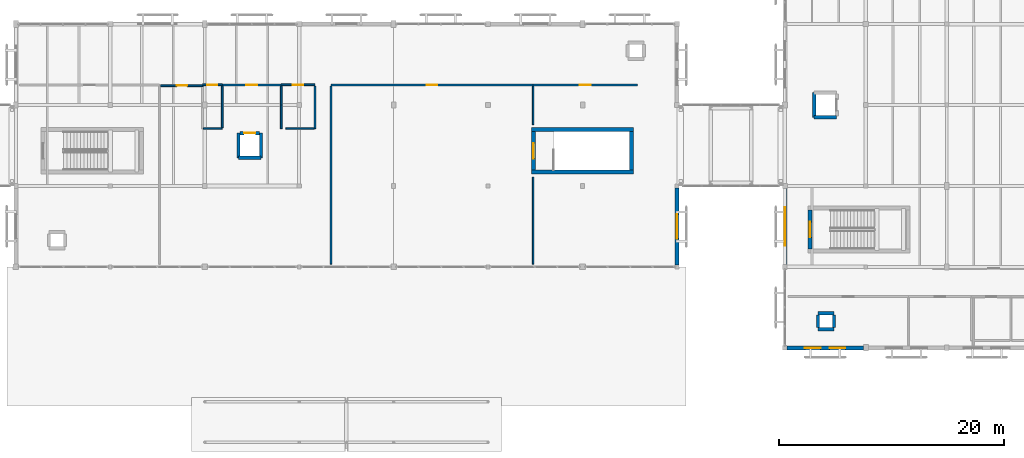
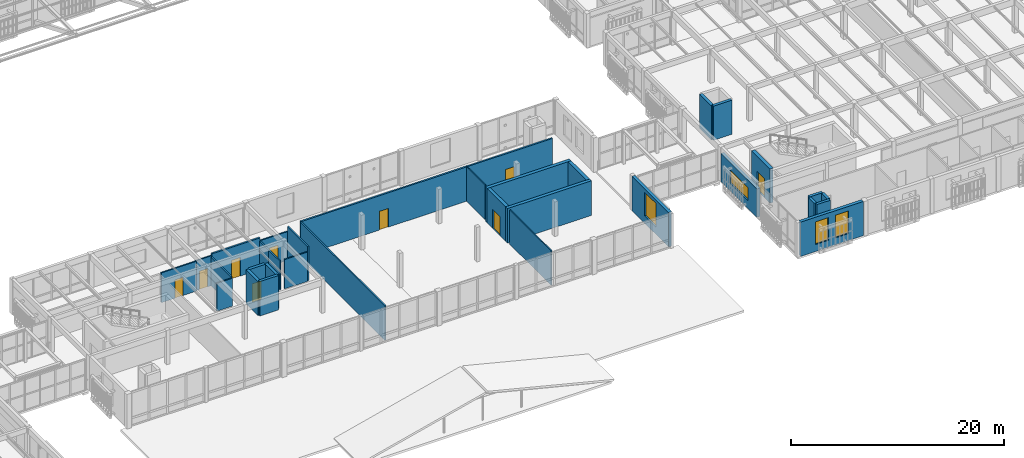
# One storey, part 178 of 217: 33 walls, 9 doors, 4 windows, 13 openings.
"""IFC4 building model written with IfcOpenShell, lengths in metres."""

from ifc_helpers import new_model, si_unit, direction, frame, frame_2d, origin, place, context, subcontext, project, spatial, rectangle, extrude, material, layer, layer_set, type_object, element, fill, save


model = new_model("IFC4")

# Units and contexts
model_context = context("Model", 3, precision=1e-05, world=origin(), true_north=direction((0.0, 1.0)))
body_context = subcontext(model_context, "Body", "Model", "MODEL_VIEW")
ifc_project = project(units=[si_unit("LENGTHUNIT", "METRE"), si_unit("AREAUNIT", "SQUARE_METRE"), si_unit("VOLUMEUNIT", "CUBIC_METRE"), si_unit("PLANEANGLEUNIT", "RADIAN"), si_unit("MASSUNIT", "GRAM", prefix="KILO")], contexts=[model_context])

# Site, building, storey
site_placement = place(None, origin())
site = spatial("IfcSite", under=ifc_project, at=site_placement, CompositionType="ELEMENT")
building_placement = place(site_placement, origin())
building = spatial("IfcBuilding", under=site, at=building_placement, Name="Mazaris Harbour Polytechnic", CompositionType="ELEMENT")
storey_placement = place(building_placement, frame((0.0, 0.0, 9.60009765625)))
storey = spatial("IfcBuildingStorey", under=building, at=storey_placement, Name="L02", CompositionType="ELEMENT", Elevation=9.60009765625)

# Walls
ifc_material_1 = material(Name="Gypsum Board and Mineral Wool")
ifc_layer_1 = layer(ifc_material_1, 0.1201171875, Name="Gypsum Board and Mineral Wool")
ifc_layer_set_1 = layer_set([ifc_layer_1], Name="Gypsum Board and Mineral Wool")
wall_type_1 = type_object("IfcWallType", Name="Acoustic Stud Partition 120", PredefinedType="PARTITIONING", material=ifc_layer_set_1)
wall_1_placement = place(storey_placement, frame((100.010986328125, 14.64990234375, 0.0), z_axis=(0.0, 0.0, 1.0), x_axis=(0.0, 1.0, 0.0)))
element("IfcWall", 1, at=wall_1_placement, inside=storey, type_object=wall_type_1, Name="V3 L02 Partition 231", PredefinedType="PARTITIONING", context=body_context, shape_type="SweptSolid", body=[
    extrude(rectangle(XDim=7.7451171875, YDim=0.1201171875, at=frame_2d((3.87255859375, 0.0))), origin(), (0.0, 0.0, 1.0), 3.934814453125),
])
wall_2_placement = place(storey_placement, frame((100.010986328125, 27.054931640625, 0.0), z_axis=(0.0, 0.0, 1.0), x_axis=(0.0, 1.0, 0.0)))
element("IfcWall", 2, at=wall_2_placement, inside=storey, type_object=wall_type_1, Name="V3 L02 Partition 233", PredefinedType="PARTITIONING", context=body_context, shape_type="SweptSolid", body=[
    extrude(rectangle(XDim=3.425048828125, YDim=0.1201171875, at=frame_2d((1.71240234375, 0.0))), origin(), (0.0, 0.0, 1.0), 3.934814453125),
])
ifc_material_2 = material(Name="Double Gypsum and Mineral Wool")
ifc_layer_2 = layer(ifc_material_2, 0.14990234375, Name="Double Gypsum and Mineral Wool")
ifc_layer_set_2 = layer_set([ifc_layer_2], Name="Double Gypsum and Mineral Wool")
wall_type_2 = type_object("IfcWallType", Name="Classroom Acoustic Partition 150", PredefinedType="PARTITIONING", material=ifc_layer_set_2)
wall_3_placement = place(storey_placement, frame((82.02587890625, 14.64990234375, 0.0), z_axis=(0.0, 0.0, 1.0), x_axis=(0.0, 1.0, 0.0)))
element("IfcWall", 3, at=wall_3_placement, inside=storey, type_object=wall_type_2, Name="V3 L02 Partition 229", PredefinedType="PARTITIONING", context=body_context, shape_type="SweptSolid", body=[
    extrude(rectangle(XDim=15.830078125, YDim=0.14990234375, at=frame_2d((7.9150390625, 0.0))), origin(), (0.0, 0.0, 1.0), 3.934814453125),
])

# Wall, opening, door
ifc_material_3 = material(Name="Terracotta Block and Plaster", Category="masonry")
ifc_layer_3 = layer(ifc_material_3, 0.179931640625, Name="Terracotta Block and Plaster")
ifc_layer_set_3 = layer_set([ifc_layer_3], Name="Terracotta Block and Plaster")
wall_type_3 = type_object("IfcWallType", Name="Corridor Fire Partition 180", PredefinedType="PARTITIONING", material=ifc_layer_set_3)
wall_4_placement = place(storey_placement, frame((72.364990234375, 30.60009765625, 0.0), z_axis=(0.0, 0.0, 1.0), x_axis=(1.0, 0.0, 0.0)))
wall_4 = element("IfcWall", 4, at=wall_4_placement, inside=storey, type_object=wall_type_3, Name="V3 L02 Partition 228", PredefinedType="PARTITIONING", context=body_context, shape_type="SweptSolid", body=[
    extrude(rectangle(XDim=5.22998046875, YDim=0.179931640625, at=frame_2d((2.614990234375, 0.0))), origin(), (0.0, 0.0, 1.0), 3.635009765625),
])
opening_1_placement = place(wall_4_placement, frame((2.139892578125, 0.0, 0.0)))
opening_1 = element("IfcOpeningElement", 5, at=opening_1_placement, cuts=wall_4, Name="Opening ID-01L", PredefinedType="OPENING", context=body_context, shape_type="SweptSolid", body=[
    extrude(rectangle(XDim=0.949951171875, YDim=2.14990234375, at=frame_2d((0.47509765625, 1.074951171875))), frame((0.0, 0.099853515625, 0.0), z_axis=(0.0, -1.0, 0.0), x_axis=(1.0, 0.0, 0.0)), (0.0, 0.0, 1.0), 0.199951171875),
])
ifc_material_4 = material(Name="Solid Oak Timber", Category="wood")
door_type_1 = type_object("IfcDoorType", Name="Classroom Single Door LH 950x2150", OperationType="SINGLE_SWING_LEFT", PredefinedType="DOOR", material=ifc_material_4)
door_1_placement = place(opening_1_placement, origin())
door_1 = element("IfcDoor", 6, at=door_1_placement, inside=storey, type_object=door_type_1, Name="ID-0104", OperationType="SINGLE_SWING_LEFT", OverallHeight=2.14990234375, OverallWidth=0.949951171875, PredefinedType="DOOR", context=body_context, shape_type="SweptSolid", body=[
    extrude(rectangle(XDim=0.949951171875, YDim=2.14990234375, at=frame_2d((0.47509765625, 1.074951171875))), frame((0.0, 0.02490234375, 0.0), z_axis=(0.0, -1.0, 0.0), x_axis=(1.0, 0.0, 0.0)), (0.0, 0.0, 1.0), 0.050048828125),
])
fill(opening_1, door_1)

wall_5_placement = place(storey_placement, frame((82.02587890625, 30.60009765625, 0.0), z_axis=(0.0, 0.0, 1.0), x_axis=(1.0, 0.0, 0.0)))
wall_5 = element("IfcWall", 7, at=wall_5_placement, inside=storey, type_object=wall_type_3, Name="V3 L02 Partition 230", PredefinedType="PARTITIONING", context=body_context, shape_type="SweptSolid", body=[
    extrude(rectangle(XDim=17.985107421875, YDim=0.179931640625, at=frame_2d((8.99267578125, 0.0))), origin(), (0.0, 0.0, 1.0), 3.934814453125),
])
opening_2_placement = place(wall_5_placement, frame((8.512451171875, 0.0, 0.0)))
opening_2 = element("IfcOpeningElement", 8, at=opening_2_placement, cuts=wall_5, Name="Opening ID-01R", PredefinedType="OPENING", context=body_context, shape_type="SweptSolid", body=[
    extrude(rectangle(XDim=0.9599609375, YDim=2.14990234375, at=frame_2d((0.47998046875, 1.074951171875))), frame((0.0, 0.099853515625, 0.0), z_axis=(0.0, -1.0, 0.0), x_axis=(1.0, 0.0, 0.0)), (0.0, 0.0, 1.0), 0.199951171875),
])
ifc_material_5 = material(Name="Solid Oak Timber", Category="wood")
door_type_2 = type_object("IfcDoorType", Name="Classroom Single Door RH 960x2150", OperationType="SINGLE_SWING_RIGHT", PredefinedType="DOOR", material=ifc_material_5)
door_2_placement = place(opening_2_placement, origin())
door_2 = element("IfcDoor", 9, at=door_2_placement, inside=storey, type_object=door_type_2, Name="ID-0105", OperationType="SINGLE_SWING_RIGHT", OverallHeight=2.14990234375, OverallWidth=0.9599609375, PredefinedType="DOOR", context=body_context, shape_type="SweptSolid", body=[
    extrude(rectangle(XDim=0.9599609375, YDim=2.14990234375, at=frame_2d((0.47998046875, 1.074951171875))), frame((0.0, 0.02490234375, 0.0), z_axis=(0.0, -1.0, 0.0), x_axis=(1.0, 0.0, 0.0)), (0.0, 0.0, 1.0), 0.050048828125),
])
fill(opening_2, door_2)

wall_6_placement = place(storey_placement, frame((100.01611328125, 30.60009765625, 0.0), z_axis=(0.0, 0.0, 1.0), x_axis=(1.0, 0.0, 0.0)))
wall_6 = element("IfcWall", 10, at=wall_6_placement, inside=storey, type_object=wall_type_3, Name="V3 L02 Partition 232", PredefinedType="PARTITIONING", context=body_context, shape_type="SweptSolid", body=[
    extrude(rectangle(XDim=9.263916015625, YDim=0.179931640625, at=frame_2d((4.6318359375, 0.0))), origin(), (0.0, 0.0, 1.0), 3.934814453125),
])
opening_3_placement = place(wall_6_placement, frame((4.156982421875, 0.0, 0.0)))
opening_3 = element("IfcOpeningElement", 11, at=opening_3_placement, cuts=wall_6, Name="Opening ID-01L", PredefinedType="OPENING", context=body_context, shape_type="SweptSolid", body=[
    extrude(rectangle(XDim=0.949951171875, YDim=2.14990234375, at=frame_2d((0.47509765625, 1.074951171875))), frame((0.0, 0.099853515625, 0.0), z_axis=(0.0, -1.0, 0.0), x_axis=(1.0, 0.0, 0.0)), (0.0, 0.0, 1.0), 0.199951171875),
])
door_3_placement = place(opening_3_placement, origin())
door_3 = element("IfcDoor", 12, at=door_3_placement, inside=storey, type_object=door_type_1, Name="ID-0106", OperationType="SINGLE_SWING_LEFT", OverallHeight=2.14990234375, OverallWidth=0.949951171875, PredefinedType="DOOR", context=body_context, shape_type="SweptSolid", body=[
    extrude(rectangle(XDim=0.949951171875, YDim=2.14990234375, at=frame_2d((0.47509765625, 1.074951171875))), frame((0.0, 0.02490234375, 0.0), z_axis=(0.0, -1.0, 0.0), x_axis=(1.0, 0.0, 0.0)), (0.0, 0.0, 1.0), 0.050048828125),
])
fill(opening_3, door_3)

# Wall, opening, window
ifc_material_6 = material(Name="Algerian Buff Limestone and Mineral Wool", Category="masonry")
ifc_layer_4 = layer(ifc_material_6, 0.330078125, Name="Algerian Buff Limestone and Mineral Wool")
ifc_layer_set_4 = layer_set([ifc_layer_4], Name="Algerian Buff Limestone and Mineral Wool")
wall_type_4 = type_object("IfcWallType", Name="Limestone Cavity Wall 330", PredefinedType="STANDARD", material=ifc_layer_set_4)
wall_7_placement = place(storey_placement, frame((112.800048828125, 21.41796875, 0.0), z_axis=(0.0, 0.0, 1.0), x_axis=(0.0, -1.0, 0.0)))
wall_7 = element("IfcWall", 13, at=wall_7_placement, inside=storey, type_object=wall_type_4, Name="V3 L02 Exterior Wall 122", PredefinedType="STANDARD", context=body_context, shape_type="SweptSolid", body=[
    extrude(rectangle(XDim=6.85595703125, YDim=0.330078125, at=frame_2d((3.427978515625, 0.0))), origin(), (0.0, 0.0, 1.0), 3.934814453125),
])
opening_4_placement = place(wall_7_placement, frame((2.35302734375, 0.0, 0.85009765625)))
opening_4 = element("IfcOpeningElement", 14, at=opening_4_placement, cuts=wall_7, Name="Opening WN-23", PredefinedType="OPENING", context=body_context, shape_type="SweptSolid", body=[
    extrude(rectangle(XDim=2.14990234375, YDim=2.699951171875, at=frame_2d((1.074951171875, 1.35009765625))), frame((0.0, 0.175048828125, 0.0), z_axis=(0.0, -1.0, 0.0), x_axis=(1.0, 0.0, 0.0)), (0.0, 0.0, 1.0), 0.35009765625),
])
ifc_material_7 = material(Name="Thermally Broken Bronze Aluminium and Low-E Glass", Category="aluminium")
window_type_1 = type_object("IfcWindowType", Name="Harbour Promenade Window 2150x2700", PartitioningType="DOUBLE_PANEL_VERTICAL", PredefinedType="WINDOW", material=ifc_material_7)
window_1_placement = place(opening_4_placement, origin())
window_1 = element("IfcWindow", 15, at=window_1_placement, inside=storey, type_object=window_type_1, Name="WN-0129", OverallHeight=2.699951171875, OverallWidth=2.14990234375, PartitioningType="DOUBLE_PANEL_VERTICAL", PredefinedType="WINDOW", context=body_context, shape_type="SweptSolid", body=[
    extrude(rectangle(XDim=2.14990234375, YDim=2.699951171875, at=frame_2d((1.074951171875, 1.35009765625))), frame((0.0, 0.030029296875, 0.0), z_axis=(0.0, -1.0, 0.0), x_axis=(1.0, 0.0, 0.0)), (0.0, 0.0, 1.0), 0.06005859375),
])
fill(opening_4, window_1)

# Wall, openings, windows
ifc_material_8 = material(Name="Algerian Buff Limestone and Concrete C30/37", Category="masonry")
ifc_layer_5 = layer(ifc_material_8, 0.344970703125, Name="Algerian Buff Limestone and Concrete C30/37")
ifc_layer_set_5 = layer_set([ifc_layer_5], Name="Algerian Buff Limestone and Concrete C30/37")
wall_type_5 = type_object("IfcWallType", Name="Pavilion Gable Wall 345", PredefinedType="STANDARD", material=ifc_layer_set_5)
wall_8_placement = place(storey_placement, frame((129.387939453125, 7.199951171875, 0.0), z_axis=(0.0, 0.0, 1.0), x_axis=(-1.0, 0.0, 0.0)))
wall_8 = element("IfcWall", 16, at=wall_8_placement, inside=storey, type_object=wall_type_5, Name="V2 L02 Exterior Wall 67", PredefinedType="STANDARD", context=body_context, shape_type="SweptSolid", body=[
    extrude(rectangle(XDim=6.805908203125, YDim=0.344970703125, at=frame_2d((3.40283203125, 0.0))), origin(), (0.0, 0.0, 1.0), 3.919921875),
])
opening_5_placement = place(wall_8_placement, frame((1.60302734375, 0.0, 0.800048828125)))
opening_5 = element("IfcOpeningElement", 17, at=opening_5_placement, cuts=wall_8, Name="Opening WN-01", PredefinedType="OPENING", context=body_context, shape_type="SweptSolid", body=[
    extrude(rectangle(XDim=1.39990234375, YDim=2.60009765625, at=frame_2d((0.699951171875, 1.300048828125))), frame((0.0, 0.182373046875, 0.0), z_axis=(0.0, -1.0, 0.0), x_axis=(1.0, 0.0, 0.0)), (0.0, 0.0, 1.0), 0.364990234375),
])
opening_6_placement = place(wall_8_placement, frame((3.802978515625, 0.0, 0.800048828125)))
opening_6 = element("IfcOpeningElement", 18, at=opening_6_placement, cuts=wall_8, Name="Opening WN-01", PredefinedType="OPENING", context=body_context, shape_type="SweptSolid", body=[
    extrude(rectangle(XDim=1.39990234375, YDim=2.60009765625, at=frame_2d((0.699951171875, 1.300048828125))), frame((0.0, 0.182373046875, 0.0), z_axis=(0.0, -1.0, 0.0), x_axis=(1.0, 0.0, 0.0)), (0.0, 0.0, 1.0), 0.364990234375),
])
ifc_material_9 = material(Name="Thermally Broken Bronze Aluminium and Low-E Glass", Category="aluminium")
window_type_2 = type_object("IfcWindowType", Name="Neoclassical Tall Window 1400x2600", PartitioningType="DOUBLE_PANEL_VERTICAL", PredefinedType="WINDOW", material=ifc_material_9)
window_2_placement = place(opening_5_placement, origin())
window_2 = element("IfcWindow", 19, at=window_2_placement, inside=storey, type_object=window_type_2, Name="WN-0059", OverallHeight=2.60009765625, OverallWidth=1.39990234375, PartitioningType="DOUBLE_PANEL_VERTICAL", PredefinedType="WINDOW", context=body_context, shape_type="SweptSolid", body=[
    extrude(rectangle(XDim=1.39990234375, YDim=2.60009765625, at=frame_2d((0.699951171875, 1.300048828125))), frame((0.0, 0.030029296875, 0.0), z_axis=(0.0, -1.0, 0.0), x_axis=(1.0, 0.0, 0.0)), (0.0, 0.0, 1.0), 0.06005859375),
])
fill(opening_5, window_2)
window_3_placement = place(opening_6_placement, origin())
window_3 = element("IfcWindow", 20, at=window_3_placement, inside=storey, type_object=window_type_2, Name="WN-0060", OverallHeight=2.60009765625, OverallWidth=1.39990234375, PartitioningType="DOUBLE_PANEL_VERTICAL", PredefinedType="WINDOW", context=body_context, shape_type="SweptSolid", body=[
    extrude(rectangle(XDim=1.39990234375, YDim=2.60009765625, at=frame_2d((0.699951171875, 1.300048828125))), frame((0.0, 0.030029296875, 0.0), z_axis=(0.0, -1.0, 0.0), x_axis=(1.0, 0.0, 0.0)), (0.0, 0.0, 1.0), 0.06005859375),
])
fill(opening_6, window_3)

# Wall, opening, window
wall_9_placement = place(storey_placement, frame((122.39990234375, 14.60205078125, 0.0), z_axis=(0.0, 0.0, 1.0), x_axis=(0.0, 1.0, 0.0)))
wall_9 = element("IfcWall", 21, at=wall_9_placement, inside=storey, type_object=wall_type_5, Name="V2 L02 Exterior Wall 76", PredefinedType="STANDARD", context=body_context, shape_type="SweptSolid", body=[
    extrude(rectangle(XDim=6.77587890625, YDim=0.344970703125, at=frame_2d((3.387939453125, 0.0))), origin(), (0.0, 0.0, 1.0), 3.239990234375),
])
opening_7_placement = place(wall_9_placement, frame((1.68798828125, 0.0, 0.89990234375)))
opening_7 = element("IfcOpeningElement", 22, at=opening_7_placement, cuts=wall_9, Name="Opening WN-16", PredefinedType="OPENING", context=body_context, shape_type="SweptSolid", body=[
    extrude(rectangle(XDim=3.39990234375, YDim=1.5, at=frame_2d((1.699951171875, 0.75))), frame((0.0, 0.182373046875, 0.0), z_axis=(0.0, -1.0, 0.0), x_axis=(1.0, 0.0, 0.0)), (0.0, 0.0, 1.0), 0.364990234375),
])
ifc_material_10 = material(Name="Thermally Broken Bronze Aluminium and Low-E Glass", Category="aluminium")
window_type_3 = type_object("IfcWindowType", Name="Workshop Clerestory Ribbon 3400x1500", PartitioningType="DOUBLE_PANEL_VERTICAL", PredefinedType="WINDOW", material=ifc_material_10)
window_4_placement = place(opening_7_placement, origin())
window_4 = element("IfcWindow", 23, at=window_4_placement, inside=storey, type_object=window_type_3, Name="WN-0072", OverallHeight=1.5, OverallWidth=3.39990234375, PartitioningType="DOUBLE_PANEL_VERTICAL", PredefinedType="WINDOW", context=body_context, shape_type="SweptSolid", body=[
    extrude(rectangle(XDim=3.39990234375, YDim=1.5, at=frame_2d((1.699951171875, 0.75))), frame((0.0, 0.030029296875, 0.0), z_axis=(0.0, -1.0, 0.0), x_axis=(1.0, 0.0, 0.0)), (0.0, 0.0, 1.0), 0.06005859375),
])
fill(opening_7, window_4)

# Walls
ifc_material_11 = material(Name="Concrete C40/50", Category="concrete")
ifc_layer_6 = layer(ifc_material_11, 0.35009765625, Name="Concrete C40/50")
ifc_layer_set_6 = layer_set([ifc_layer_6], Name="Concrete C40/50")
wall_type_6 = type_object("IfcWallType", Name="RC Core Shear Wall 350", PredefinedType="SHEAR", material=ifc_layer_set_6)
for number, where, z_axis, x_axis, name in (
    (24, (99.85009765625, 22.824951171875, 0.0), (0.0, 0.0, 1.0), (1.0, 0.0, 0.0), "Core ST06 L02 Shear Wall S"),
    (25, (108.949951171875, 26.625, 0.0), (0.0, 0.0, 1.0), (-1.0, 0.0, 0.0), "Core ST06 L02 Shear Wall N"),
):
    element("IfcWall", number, at=place(storey_placement, frame(where, z_axis=z_axis, x_axis=x_axis)), inside=storey, type_object=wall_type_6, Name=name, PredefinedType="SHEAR", context=body_context, shape_type="SweptSolid", body=[
        extrude(rectangle(XDim=9.099853515625, YDim=0.35009765625, at=frame_2d((4.5498046875, 0.0))), origin(), (0.0, 0.0, 1.0), 3.9599609375),
    ])
wall_10_placement = place(storey_placement, frame((108.77490234375, 23.0, 0.0), z_axis=(0.0, 0.0, 1.0), x_axis=(0.0, 1.0, 0.0)))
element("IfcWall", 26, at=wall_10_placement, inside=storey, type_object=wall_type_6, Name="Core ST06 L02 Shear Wall E", PredefinedType="SHEAR", context=body_context, shape_type="SweptSolid", body=[
    extrude(rectangle(XDim=3.449951171875, YDim=0.35009765625, at=frame_2d((1.72509765625, 0.0))), origin(), (0.0, 0.0, 1.0), 3.9599609375),
])

# Wall, opening, door
wall_11_placement = place(storey_placement, frame((124.625, 19.449951171875, 0.0), z_axis=(0.0, 0.0, 1.0), x_axis=(0.0, -1.0, 0.0)))
wall_11 = element("IfcWall", 27, at=wall_11_placement, inside=storey, type_object=wall_type_6, Name="Core ST03 L02 Entrance Shear Wall", PredefinedType="SHEAR", context=body_context, shape_type="SweptSolid", body=[
    extrude(rectangle(XDim=3.449951171875, YDim=0.35009765625, at=frame_2d((1.72509765625, 0.0))), origin(), (0.0, 0.0, 1.0), 3.919921875),
])
opening_8_placement = place(wall_11_placement, frame((1.034912109375, 0.0, 0.0)))
opening_8 = element("IfcOpeningElement", 28, at=opening_8_placement, cuts=wall_11, Name="Opening SD-01", PredefinedType="OPENING", context=body_context, shape_type="SweptSolid", body=[
    extrude(rectangle(XDim=1.3798828125, YDim=2.199951171875, at=frame_2d((0.68994140625, 1.10009765625))), frame((0.0, 0.18505859375, 0.0), z_axis=(0.0, -1.0, 0.0), x_axis=(1.0, 0.0, 0.0)), (0.0, 0.0, 1.0), 0.3701171875),
])
ifc_material_12 = material(Name="Glulam Timber and Fire Glass", Category="wood")
door_type_3 = type_object("IfcDoorType", Name="Protected Stair Lobby Fire Door 1380x2200", OperationType="DOUBLE_DOOR_SINGLE_SWING", PredefinedType="DOOR", material=ifc_material_12)
door_4_placement = place(opening_8_placement, origin())
door_4 = element("IfcDoor", 29, at=door_4_placement, inside=storey, type_object=door_type_3, Name="SD-012", OperationType="DOUBLE_DOOR_SINGLE_SWING", OverallHeight=2.199951171875, OverallWidth=1.3798828125, PredefinedType="DOOR", context=body_context, shape_type="SweptSolid", body=[
    extrude(rectangle(XDim=1.3798828125, YDim=2.199951171875, at=frame_2d((0.68994140625, 1.10009765625))), frame((0.0, 0.02490234375, 0.0), z_axis=(0.0, -1.0, 0.0), x_axis=(1.0, 0.0, 0.0)), (0.0, 0.0, 1.0), 0.050048828125),
])
fill(opening_8, door_4)

wall_12_placement = place(storey_placement, frame((100.02490234375, 26.449951171875, 0.0), z_axis=(0.0, 0.0, 1.0), x_axis=(0.0, -1.0, 0.0)))
wall_12 = element("IfcWall", 30, at=wall_12_placement, inside=storey, type_object=wall_type_6, Name="Core ST06 L02 Entrance Shear Wall", PredefinedType="SHEAR", context=body_context, shape_type="SweptSolid", body=[
    extrude(rectangle(XDim=3.449951171875, YDim=0.35009765625, at=frame_2d((1.72509765625, 0.0))), origin(), (0.0, 0.0, 1.0), 3.9599609375),
])
opening_9_placement = place(wall_12_placement, frame((1.034912109375, 0.0, 0.0)))
opening_9 = element("IfcOpeningElement", 31, at=opening_9_placement, cuts=wall_12, Name="Opening SD-01", PredefinedType="OPENING", context=body_context, shape_type="SweptSolid", body=[
    extrude(rectangle(XDim=1.3798828125, YDim=2.199951171875, at=frame_2d((0.68994140625, 1.10009765625))), frame((0.0, 0.18505859375, 0.0), z_axis=(0.0, -1.0, 0.0), x_axis=(1.0, 0.0, 0.0)), (0.0, 0.0, 1.0), 0.3701171875),
])
door_5_placement = place(opening_9_placement, origin())
door_5 = element("IfcDoor", 32, at=door_5_placement, inside=storey, type_object=door_type_3, Name="SD-027", OperationType="DOUBLE_DOOR_SINGLE_SWING", OverallHeight=2.199951171875, OverallWidth=1.3798828125, PredefinedType="DOOR", context=body_context, shape_type="SweptSolid", body=[
    extrude(rectangle(XDim=1.3798828125, YDim=2.199951171875, at=frame_2d((0.68994140625, 1.10009765625))), frame((0.0, 0.02490234375, 0.0), z_axis=(0.0, -1.0, 0.0), x_axis=(1.0, 0.0, 0.0)), (0.0, 0.0, 1.0), 0.050048828125),
])
fill(opening_9, door_5)

# Walls
ifc_material_13 = material(Name="Concrete C40/50", Category="concrete")
ifc_layer_7 = layer(ifc_material_13, 0.300048828125, Name="Concrete C40/50")
ifc_layer_set_7 = layer_set([ifc_layer_7], Name="Concrete C40/50")
wall_type_7 = type_object("IfcWallType", Name="RC Lift Shaft Wall 300", PredefinedType="SHEAR", material=ifc_layer_set_7)
wall_13_placement = place(storey_placement, frame((125.35009765625, 8.85009765625, 0.0), z_axis=(0.0, 0.0, 1.0), x_axis=(1.0, 0.0, 0.0)))
element("IfcWall", 33, at=wall_13_placement, inside=storey, type_object=wall_type_7, Name="V2 L02 Riser Enclosure Wall 1-1", PredefinedType="SHEAR", context=body_context, shape_type="SweptSolid", body=[
    extrude(rectangle(XDim=1.419921875, YDim=0.300048828125, at=frame_2d((0.7099609375, 0.0))), origin(), (0.0, 0.0, 1.0), 3.9599609375),
])
wall_14_placement = place(storey_placement, frame((126.77001953125, 9.010009765625, 0.0), z_axis=(0.0, 0.0, 1.0), x_axis=(0.0, 1.0, 0.0)))
element("IfcWall", 34, at=wall_14_placement, inside=storey, type_object=wall_type_7, Name="V2 L02 Riser Enclosure Wall 1-2", PredefinedType="SHEAR", context=body_context, shape_type="SweptSolid", body=[
    extrude(rectangle(XDim=1.10009765625, YDim=0.300048828125, at=frame_2d((0.550048828125, 0.0))), origin(), (0.0, 0.0, 1.0), 3.9599609375),
])
wall_15_placement = place(storey_placement, frame((126.77001953125, 10.27001953125, 0.0), z_axis=(0.0, 0.0, 1.0), x_axis=(-1.0, 0.0, 0.0)))
element("IfcWall", 35, at=wall_15_placement, inside=storey, type_object=wall_type_7, Name="V2 L02 Riser Enclosure Wall 1-3", PredefinedType="SHEAR", context=body_context, shape_type="SweptSolid", body=[
    extrude(rectangle(XDim=1.419921875, YDim=0.300048828125, at=frame_2d((0.7099609375, 0.0))), origin(), (0.0, 0.0, 1.0), 3.9599609375),
])
wall_16_placement = place(storey_placement, frame((125.35009765625, 10.110107421875, 0.0), z_axis=(0.0, 0.0, 1.0), x_axis=(0.0, -1.0, 0.0)))
element("IfcWall", 36, at=wall_16_placement, inside=storey, type_object=wall_type_7, Name="V2 L02 Riser Enclosure Wall 1-4", PredefinedType="SHEAR", context=body_context, shape_type="SweptSolid", body=[
    extrude(rectangle(XDim=1.10009765625, YDim=0.300048828125, at=frame_2d((0.550048828125, 0.0))), origin(), (0.0, 0.0, 1.0), 3.9599609375),
])
wall_17_placement = place(storey_placement, frame((125.0, 27.699951171875, 0.0), z_axis=(0.0, 0.0, 1.0), x_axis=(1.0, 0.0, 0.0)))
element("IfcWall", 37, at=wall_17_placement, inside=storey, type_object=wall_type_7, Name="Lift LP-02 L02 South Shaft Wall", PredefinedType="SHEAR", context=body_context, shape_type="SweptSolid", body=[
    extrude(rectangle(XDim=2.0, YDim=0.300048828125, at=frame_2d((1.0, 0.0))), origin(), (0.0, 0.0, 1.0), 3.919921875),
])
wall_18_placement = place(storey_placement, frame((125.0, 29.89990234375, 0.0), z_axis=(0.0, 0.0, 1.0), x_axis=(0.0, -1.0, 0.0)))
element("IfcWall", 38, at=wall_18_placement, inside=storey, type_object=wall_type_7, Name="Lift LP-02 L02 West Shaft Wall", PredefinedType="SHEAR", context=body_context, shape_type="SweptSolid", body=[
    extrude(rectangle(XDim=2.199951171875, YDim=0.300048828125, at=frame_2d((1.10009765625, 0.0))), origin(), (0.0, 0.0, 1.0), 3.919921875),
])
wall_19_placement = place(storey_placement, frame((73.800048828125, 24.10009765625, 0.0), z_axis=(0.0, 0.0, 1.0), x_axis=(1.0, 0.0, 0.0)))
element("IfcWall", 39, at=wall_19_placement, inside=storey, type_object=wall_type_7, Name="Lift LP-03 L02 South Shaft Wall", PredefinedType="SHEAR", context=body_context, shape_type="SweptSolid", body=[
    extrude(rectangle(XDim=2.0, YDim=0.300048828125, at=frame_2d((1.0, 0.0))), origin(), (0.0, 0.0, 1.0), 3.934814453125),
])
for number, where, z_axis, x_axis, name in (
    (40, (73.800048828125, 26.300048828125, 0.0), (0.0, 0.0, 1.0), (0.0, -1.0, 0.0), "Lift LP-03 L02 West Shaft Wall"),
    (41, (75.800048828125, 24.10009765625, 0.0), (0.0, 0.0, 1.0), (0.0, 1.0, 0.0), "Lift LP-03 L02 East Shaft Wall"),
):
    element("IfcWall", number, at=place(storey_placement, frame(where, z_axis=z_axis, x_axis=x_axis)), inside=storey, type_object=wall_type_7, Name=name, PredefinedType="SHEAR", context=body_context, shape_type="SweptSolid", body=[
        extrude(rectangle(XDim=2.199951171875, YDim=0.300048828125, at=frame_2d((1.10009765625, 0.0))), origin(), (0.0, 0.0, 1.0), 3.934814453125),
    ])

# Wall, opening, door
wall_20_placement = place(storey_placement, frame((73.93994140625, 26.300048828125, 0.0), z_axis=(0.0, 0.0, 1.0), x_axis=(1.0, 0.0, 0.0)))
wall_20 = element("IfcWall", 42, at=wall_20_placement, inside=storey, type_object=wall_type_7, Name="Lift LP-03 L02 Front Shaft Wall", PredefinedType="SHEAR", context=body_context, shape_type="SweptSolid", body=[
    extrude(rectangle(XDim=1.719970703125, YDim=0.300048828125, at=frame_2d((0.85986328125, 0.0))), origin(), (0.0, 0.0, 1.0), 3.934814453125),
])
opening_10_placement = place(wall_20_placement, frame((0.360107421875, 0.0, 0.0)))
opening_10 = element("IfcOpeningElement", 43, at=opening_10_placement, cuts=wall_20, Name="Opening LD-01", PredefinedType="OPENING", context=body_context, shape_type="SweptSolid", body=[
    extrude(rectangle(XDim=1.0, YDim=2.10009765625, at=frame_2d((0.5, 1.050048828125))), frame((0.0, 0.159912109375, 0.0), z_axis=(0.0, -1.0, 0.0), x_axis=(1.0, 0.0, 0.0)), (0.0, 0.0, 1.0), 0.320068359375),
])
ifc_material_14 = material(Name="Stainless Steel S355", Category="steel")
door_type_4 = type_object("IfcDoorType", Name="Sliding Passenger Lift Landing Door 1000x2100", OperationType="SLIDING_TO_LEFT", PredefinedType="DOOR", material=ifc_material_14)
door_6_placement = place(opening_10_placement, origin())
door_6 = element("IfcDoor", 44, at=door_6_placement, inside=storey, type_object=door_type_4, Name="LD-028", OperationType="SLIDING_TO_LEFT", OverallHeight=2.10009765625, OverallWidth=1.0, PredefinedType="DOOR", context=body_context, shape_type="SweptSolid", body=[
    extrude(rectangle(XDim=1.0, YDim=2.10009765625, at=frame_2d((0.5, 1.050048828125))), frame((0.0, 0.02490234375, 0.0), z_axis=(0.0, -1.0, 0.0), x_axis=(1.0, 0.0, 0.0)), (0.0, 0.0, 1.0), 0.050048828125),
])
fill(opening_10, door_6)

ifc_material_15 = material(Name="Moisture-Resistant Gypsum and Steel Stud", Category="steel")
ifc_layer_8 = layer(ifc_material_15, 0.14501953125, Name="Moisture-Resistant Gypsum and Steel Stud")
ifc_layer_set_8 = layer_set([ifc_layer_8], Name="Moisture-Resistant Gypsum and Steel Stud")
wall_type_8 = type_object("IfcWallType", Name="Sanitary Plumbing Wall 145", PredefinedType="PLUMBINGWALL", material=ifc_layer_set_8)
wall_21_placement = place(storey_placement, frame((70.60009765625, 30.60009765625, 0.0), z_axis=(0.0, 0.0, 1.0), x_axis=(1.0, 0.0, 0.0)))
wall_21 = element("IfcWall", 45, at=wall_21_placement, inside=storey, type_object=wall_type_8, Name="V3 L02 Partition 220", PredefinedType="PLUMBINGWALL", context=body_context, shape_type="SweptSolid", body=[
    extrude(rectangle(XDim=1.760009765625, YDim=0.14501953125, at=frame_2d((0.8798828125, 0.0))), origin(), (0.0, 0.0, 1.0), 3.414794921875),
])
opening_11_placement = place(wall_21_placement, frame((0.429931640625, 0.0, 0.0)))
opening_11 = element("IfcOpeningElement", 46, at=opening_11_placement, cuts=wall_21, Name="Opening ID-07R", PredefinedType="OPENING", context=body_context, shape_type="SweptSolid", body=[
    extrude(rectangle(XDim=0.89990234375, YDim=2.10009765625, at=frame_2d((0.449951171875, 1.050048828125))), frame((0.0, 0.08251953125, 0.0), z_axis=(0.0, -1.0, 0.0), x_axis=(1.0, 0.0, 0.0)), (0.0, 0.0, 1.0), 0.1650390625),
])
ifc_material_16 = material(Name="Moisture-Resistant Laminate Timber", Category="wood")
door_type_5 = type_object("IfcDoorType", Name="Sanitary Room Door RH 900x2100", OperationType="SINGLE_SWING_RIGHT", PredefinedType="DOOR", material=ifc_material_16)
door_7_placement = place(opening_11_placement, origin())
door_7 = element("IfcDoor", 47, at=door_7_placement, inside=storey, type_object=door_type_5, Name="ID-0101", OperationType="SINGLE_SWING_RIGHT", OverallHeight=2.10009765625, OverallWidth=0.89990234375, PredefinedType="DOOR", context=body_context, shape_type="SweptSolid", body=[
    extrude(rectangle(XDim=0.89990234375, YDim=2.10009765625, at=frame_2d((0.449951171875, 1.050048828125))), frame((0.0, 0.02490234375, 0.0), z_axis=(0.0, -1.0, 0.0), x_axis=(1.0, 0.0, 0.0)), (0.0, 0.0, 1.0), 0.050048828125),
])
fill(opening_11, door_7)

wall_22_placement = place(storey_placement, frame((77.60009765625, 30.60009765625, 0.0), z_axis=(0.0, 0.0, 1.0), x_axis=(1.0, 0.0, 0.0)))
wall_22 = element("IfcWall", 48, at=wall_22_placement, inside=storey, type_object=wall_type_8, Name="V3 L02 Partition 222", PredefinedType="PLUMBINGWALL", context=body_context, shape_type="SweptSolid", body=[
    extrude(rectangle(XDim=3.0, YDim=0.14501953125, at=frame_2d((1.5, 0.0))), origin(), (0.0, 0.0, 1.0), 3.294921875),
])
opening_12_placement = place(wall_22_placement, frame((1.0400390625, 0.0, 0.0)))
opening_12 = element("IfcOpeningElement", 49, at=opening_12_placement, cuts=wall_22, Name="Opening ID-07L", PredefinedType="OPENING", context=body_context, shape_type="SweptSolid", body=[
    extrude(rectangle(XDim=0.919921875, YDim=2.10009765625, at=frame_2d((0.4599609375, 1.050048828125))), frame((0.0, 0.08251953125, 0.0), z_axis=(0.0, -1.0, 0.0), x_axis=(1.0, 0.0, 0.0)), (0.0, 0.0, 1.0), 0.1650390625),
])
ifc_material_17 = material(Name="Moisture-Resistant Laminate Timber", Category="wood")
door_type_6 = type_object("IfcDoorType", Name="Accessible Toilet Door LH 920x2100", OperationType="SINGLE_SWING_LEFT", PredefinedType="DOOR", material=ifc_material_17)
door_8_placement = place(opening_12_placement, origin())
door_8 = element("IfcDoor", 50, at=door_8_placement, inside=storey, type_object=door_type_6, Name="ID-0102", OperationType="SINGLE_SWING_LEFT", OverallHeight=2.10009765625, OverallWidth=0.919921875, PredefinedType="DOOR", context=body_context, shape_type="SweptSolid", body=[
    extrude(rectangle(XDim=0.919921875, YDim=2.10009765625, at=frame_2d((0.4599609375, 1.050048828125))), frame((0.0, 0.02490234375, 0.0), z_axis=(0.0, -1.0, 0.0), x_axis=(1.0, 0.0, 0.0)), (0.0, 0.0, 1.0), 0.050048828125),
])
fill(opening_12, door_8)

# Walls
wall_23_placement = place(storey_placement, frame((77.60009765625, 28.804931640625, 0.0), z_axis=(0.0, 0.0, 1.0), x_axis=(0.0, 1.0, 0.0)))
element("IfcWall", 51, at=wall_23_placement, inside=storey, type_object=wall_type_8, Name="V3 L02 Partition 223", PredefinedType="PLUMBINGWALL", context=body_context, shape_type="SweptSolid", body=[
    extrude(rectangle(XDim=1.675048828125, YDim=0.14501953125, at=frame_2d((0.83740234375, 0.0))), origin(), (0.0, 0.0, 1.0), 3.294921875),
])
wall_24_placement = place(storey_placement, frame((80.60009765625, 26.699951171875, 0.0), z_axis=(0.0, 0.0, 1.0), x_axis=(0.0, 1.0, 0.0)))
element("IfcWall", 52, at=wall_24_placement, inside=storey, type_object=wall_type_8, Name="V3 L02 Partition 224", PredefinedType="PLUMBINGWALL", context=body_context, shape_type="SweptSolid", body=[
    extrude(rectangle(XDim=3.780029296875, YDim=0.14501953125, at=frame_2d((1.89013671875, 0.0))), origin(), (0.0, 0.0, 1.0), 3.934814453125),
])
wall_25_placement = place(storey_placement, frame((78.0048828125, 26.699951171875, 0.0), z_axis=(0.0, 0.0, 1.0), x_axis=(1.0, 0.0, 0.0)))
element("IfcWall", 53, at=wall_25_placement, inside=storey, type_object=wall_type_8, Name="V3 L02 Partition 225", PredefinedType="PLUMBINGWALL", context=body_context, shape_type="SweptSolid", body=[
    extrude(rectangle(XDim=2.5126953125, YDim=0.14501953125, at=frame_2d((1.25634765625, 0.0))), origin(), (0.0, 0.0, 1.0), 3.35498046875),
])

# Wall, opening, door
wall_26_placement = place(storey_placement, frame((66.868896484375, 30.52001953125, 0.0), z_axis=(0.0, 0.0, 1.0), x_axis=(1.0, 0.0, 0.0)))
wall_26 = element("IfcWall", 54, at=wall_26_placement, inside=storey, type_object=wall_type_8, Name="V3 L02 Partition 689", PredefinedType="PLUMBINGWALL", context=body_context, shape_type="SweptSolid", body=[
    extrude(rectangle(XDim=3.81103515625, YDim=0.14501953125, at=frame_2d((1.905517578125, 0.0))), origin(), (0.0, 0.0, 1.0), 3.414794921875),
])
opening_13_placement = place(wall_26_placement, frame((1.45556640625, 0.0, 0.0)))
opening_13 = element("IfcOpeningElement", 55, at=opening_13_placement, cuts=wall_26, Name="Opening ID-07R", PredefinedType="OPENING", context=body_context, shape_type="SweptSolid", body=[
    extrude(rectangle(XDim=0.89990234375, YDim=2.10009765625, at=frame_2d((0.449951171875, 1.050048828125))), frame((0.0, 0.08251953125, 0.0), z_axis=(0.0, -1.0, 0.0), x_axis=(1.0, 0.0, 0.0)), (0.0, 0.0, 1.0), 0.1650390625),
])
door_9_placement = place(opening_13_placement, origin())
door_9 = element("IfcDoor", 56, at=door_9_placement, inside=storey, type_object=door_type_5, Name="ID-0334", OperationType="SINGLE_SWING_RIGHT", OverallHeight=2.10009765625, OverallWidth=0.89990234375, PredefinedType="DOOR", context=body_context, shape_type="SweptSolid", body=[
    extrude(rectangle(XDim=0.89990234375, YDim=2.10009765625, at=frame_2d((0.449951171875, 1.050048828125))), frame((0.0, 0.02490234375, 0.0), z_axis=(0.0, -1.0, 0.0), x_axis=(1.0, 0.0, 0.0)), (0.0, 0.0, 1.0), 0.050048828125),
])
fill(opening_13, door_9)

# Walls
wall_27_placement = place(storey_placement, frame((70.6826171875, 26.705078125, 0.0), z_axis=(0.0, 0.0, 1.0), x_axis=(1.0, 0.0, 0.0)))
element("IfcWall", 57, at=wall_27_placement, inside=storey, type_object=wall_type_8, Name="V3 L02 Sanitary Partition 725", PredefinedType="PLUMBINGWALL", context=body_context, shape_type="SweptSolid", body=[
    extrude(rectangle(XDim=1.67236328125, YDim=0.14501953125, at=frame_2d((0.836181640625, 0.0))), origin(), (0.0, 0.0, 1.0), 3.19482421875),
])
wall_28_placement = place(storey_placement, frame((72.35498046875, 26.78759765625, 0.0), z_axis=(0.0, 0.0, 1.0), x_axis=(0.0, 1.0, 0.0)))
element("IfcWall", 58, at=wall_28_placement, inside=storey, type_object=wall_type_8, Name="V3 L02 Sanitary Partition 726", PredefinedType="PLUMBINGWALL", context=body_context, shape_type="SweptSolid", body=[
    extrude(rectangle(XDim=3.72998046875, YDim=0.14501953125, at=frame_2d((1.864990234375, 0.0))), origin(), (0.0, 0.0, 1.0), 3.294921875),
])
wall_29_placement = place(storey_placement, frame((77.60498046875, 26.705078125, 0.0), z_axis=(0.0, 0.0, 1.0), x_axis=(0.0, 1.0, 0.0)))
element("IfcWall", 59, at=wall_29_placement, inside=storey, type_object=wall_type_8, Name="V3 L02 Sanitary Partition 727", PredefinedType="PLUMBINGWALL", context=body_context, shape_type="SweptSolid", body=[
    extrude(rectangle(XDim=2.099853515625, YDim=0.14501953125, at=frame_2d((1.0498046875, 0.0))), origin(), (0.0, 0.0, 1.0), 3.294921875),
])

save(model, "model.ifc")
